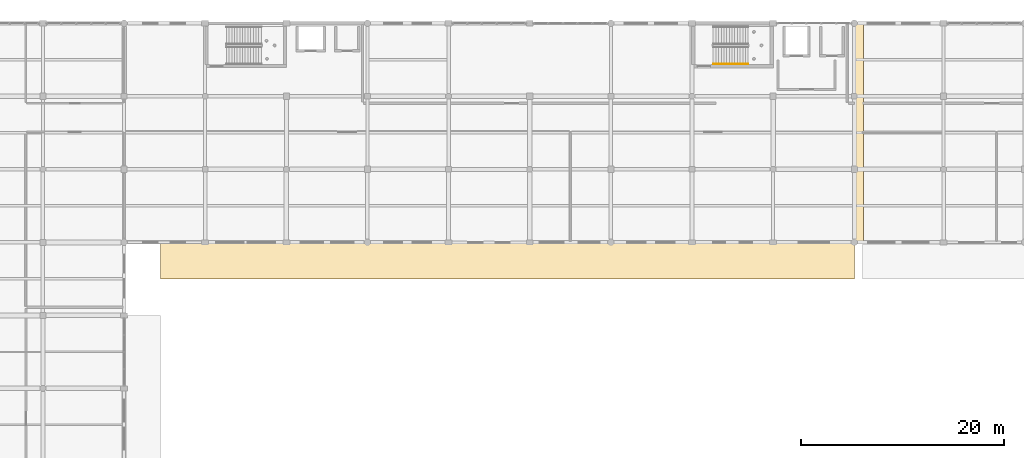
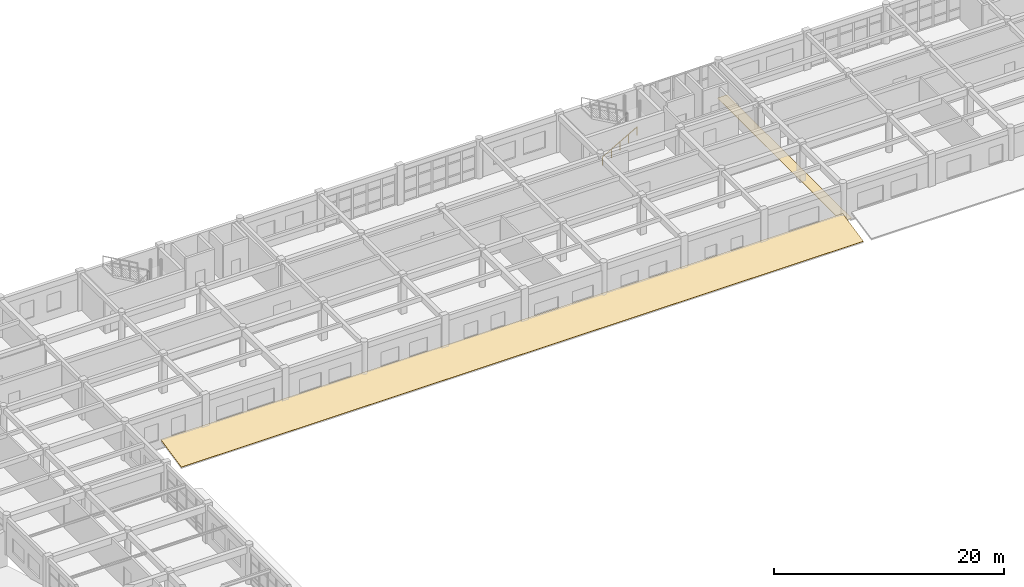
# One storey, part 116 of 121: 2 coverings, 1 railing.
"""IFC4 building model written with IfcOpenShell, lengths in metres."""

from ifc_helpers import new_model, si_unit, direction, frame, origin, origin_2d, place, context, subcontext, project, spatial, polyline, circle, outline, extrude, material, layer, layer_set, type_object, element, save


model = new_model("IFC4")

# Units and contexts
model_context = context("Model", 3, precision=1e-05, world=origin(), true_north=direction((0.0, 1.0)))
body_context = subcontext(model_context, "Body", "Model", "MODEL_VIEW")
ifc_project = project(units=[si_unit("LENGTHUNIT", "METRE"), si_unit("AREAUNIT", "SQUARE_METRE"), si_unit("VOLUMEUNIT", "CUBIC_METRE"), si_unit("PLANEANGLEUNIT", "RADIAN"), si_unit("MASSUNIT", "GRAM", prefix="KILO")], contexts=[model_context])

# Site, building, storey
site_placement = place(None, origin())
site = spatial("IfcSite", under=ifc_project, at=site_placement, CompositionType="ELEMENT")
building_placement = place(site_placement, origin())
building = spatial("IfcBuilding", under=site, at=building_placement, Name="Kharva Crest Polytechnic", CompositionType="ELEMENT")
storey_placement = place(building_placement, frame((0.0, 0.0, 13.199951171875)))
storey = spatial("IfcBuildingStorey", under=building, at=storey_placement, Name="L03", CompositionType="ELEMENT", Elevation=13.199951171875)

# Coverings
ifc_material_1 = material(Name="Anodised aluminium", Category="aluminium")
ifc_layer_1 = layer(ifc_material_1, 0.044921875, Name="Anodised aluminium")
ifc_layer_set_1 = layer_set([ifc_layer_1], Name="Anodised aluminium")
covering_type_1 = type_object("IfcCoveringType", Name="COV-ROOF-MEMBRANE", PredefinedType="ROOFING", material=ifc_layer_set_1)
covering_1_placement = place(storey_placement, frame((51.60009765625, 96.800048828125, 0.045166015625), z_axis=(0.0, -0.206505409806, 0.978445458736), x_axis=(1.0, 0.0, 0.0)))
element("IfcCovering", 1, at=covering_1_placement, inside=storey, type_object=covering_type_1, Name="L03 Standing-Seam Roof Covering 20", PredefinedType="ROOFING", context=body_context, shape_type="SweptSolid", body=[
    extrude(outline(polyline([(0.0, 0.0), (68.39990234375, 0.0), (68.39990234375, 3.6791560362247906), (0.0, 3.6791560362247906), (0.0, 0.0)])), origin(), (0.0, 0.0, -1.0), 0.044921875),
])
ifc_layer_2 = layer(ifc_material_1, 0.030029296875, Name="Anodised aluminium")
ifc_layer_set_2 = layer_set([ifc_layer_2], Name="Anodised aluminium")
covering_type_2 = type_object("IfcCoveringType", Name="COV-SEISMIC-JOINT", PredefinedType="FLOORING", material=ifc_layer_set_2)
covering_2_placement = place(storey_placement, frame((0.0, 0.0, -0.030029296875)))
element("IfcCovering", 2, at=covering_2_placement, inside=storey, type_object=covering_type_2, Name="L03 Seismic Expansion Joint Floor Cover N_LAB", PredefinedType="FLOORING", context=body_context, shape_type="SweptSolid", body=[
    extrude(outline(polyline([(119.89990234375, 100.39990234375), (120.89990234375, 100.39990234375), (120.89990234375, 122.0), (119.89990234375, 122.0), (119.89990234375, 100.39990234375)])), origin(), (0.0, 0.0, 1.0), 0.030029296875),
])

# Railing
ifc_material_2 = material(Name="Teak timber", Category="wood")
railing_type = type_object("IfcRailingType", Name="RL-STAIR-HAND-900", PredefinedType="HANDRAIL", material=ifc_material_2)
railing_placement = place(storey_placement, frame((106.090087890625, 117.989990234375, 0.150146484375)))
element("IfcRailing", 3, at=railing_placement, inside=storey, type_object=railing_type, Name="L03 ST-04 stair handrail 1", PredefinedType="HANDRAIL", context=body_context, shape_type="SweptSolid", body=[
    extrude(circle(Radius=0.02392578125, at=origin_2d()), frame((0.0, 0.0, 0.8759765625), z_axis=(0.870251367514, 0.0, 0.492607914411), x_axis=(0.0, 1.0, 0.0)), (0.0, 0.0, 1.0), 3.95849609375),
    extrude(circle(Radius=0.02099609375, at=origin_2d()), origin(), (0.0, 0.0, 1.0), 0.851806640625),
    extrude(circle(Radius=0.02099609375, at=origin_2d()), frame((0.861328125, 0.0, 0.487548828125)), (0.0, 0.0, 1.0), 0.851806640625),
    extrude(circle(Radius=0.02099609375, at=origin_2d()), frame((1.722412109375, 0.0, 0.97509765625)), (0.0, 0.0, 1.0), 0.851806640625),
    extrude(circle(Radius=0.02099609375, at=origin_2d()), frame((2.58349609375, 0.0, 1.46240234375)), (0.0, 0.0, 1.0), 0.851806640625),
    extrude(circle(Radius=0.02099609375, at=origin_2d()), frame((3.44482421875, 0.0, 1.949951171875)), (0.0, 0.0, 1.0), 0.851806640625),
])

save(model, "model.ifc")
